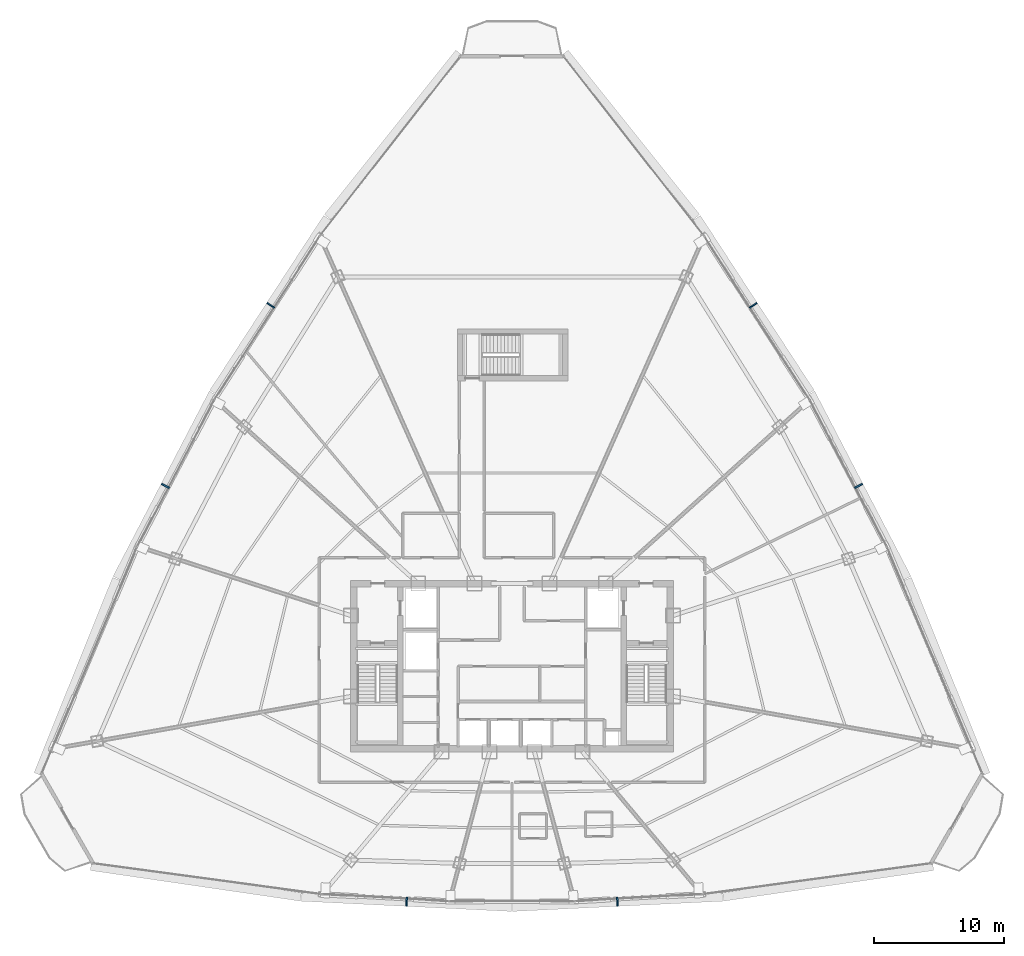
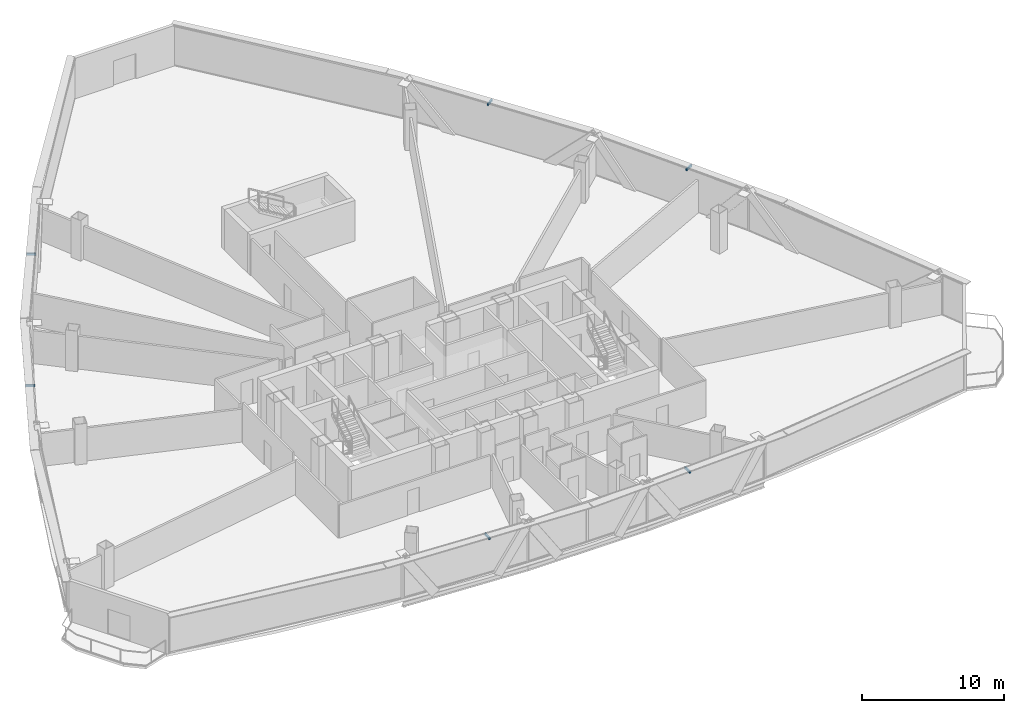
# One storey, part 31 of 35: 6 discrete accessories.
"""IFC4 building model written with IfcOpenShell, lengths in metres."""

from ifc_helpers import new_model, si_unit, direction, frame, origin, origin_2d, place, context, subcontext, project, spatial, rectangle, extrude, source, transform, mapped, material, type_object, element, save


model = new_model("IFC4")

# Units and contexts
model_context = context("Model", 3, precision=1e-05, world=origin(), true_north=direction((0.0, 1.0)))
body_context = subcontext(model_context, "Body", "Model", "MODEL_VIEW")
ifc_project = project(units=[si_unit("LENGTHUNIT", "METRE"), si_unit("AREAUNIT", "SQUARE_METRE"), si_unit("VOLUMEUNIT", "CUBIC_METRE"), si_unit("PLANEANGLEUNIT", "RADIAN"), si_unit("MASSUNIT", "GRAM", prefix="KILO"), si_unit("THERMODYNAMICTEMPERATUREUNIT", "KELVIN"), si_unit("POWERUNIT", "WATT")], contexts=[model_context])

# Site, building, storey
site_placement = place(None, origin())
site = spatial("IfcSite", under=ifc_project, at=site_placement, CompositionType="ELEMENT")
building_placement = place(site_placement, origin())
building = spatial("IfcBuilding", under=site, at=building_placement, Name="Yunzhuo Pagoda Commons", CompositionType="ELEMENT")
storey_placement = place(building_placement, frame((0.0, 0.0, 237.070068359375)))
storey = spatial("IfcBuildingStorey", under=building, at=storey_placement, Name="L59", CompositionType="ELEMENT", Elevation=237.070068359375)

# Discrete accessories
ifc_material = material(Name="Anodized aluminium 6063-T6", Category="aluminium")
discrete_accessory_type = type_object("IfcDiscreteAccessoryType", Name="BK-SUN1 Sunshade Outrigger Bracket", PredefinedType="BRACKET", material=ifc_material)
shared_shape = source(origin(), body_context, "Body", "SweptSolid", [
    extrude(rectangle(XDim=0.1201171875, YDim=0.679931640625, at=origin_2d()), origin(), (0.0, 0.0, 1.0), 0.179931640625),
])
for number, where, z_axis, x_axis, name in (
    (1, (39.888427734375, 15.71337890625, 3.259765625), (0.0, 0.0, 1.0), (0.998818043775, -0.04860571396, 0.0), "L59 sunshade outrigger bracket F1.2"),
    (2, (56.111572265625, 15.71337890625, 3.259765625), (0.0, 0.0, 1.0), (0.998818043775, 0.04860571396, 0.0), "L59 sunshade outrigger bracket F1.3"),
    (3, (74.686279296875, 47.717041015625, 3.259765625), (0.0, 0.0, 1.0), (-0.461206683033, 0.88729273384, 0.0), "L59 sunshade outrigger bracket F2.2"),
    (4, (66.57470703125, 61.61328125, 3.259765625), (0.0, 0.0, 1.0), (-0.545838756973, 0.837890238269, 0.0), "L59 sunshade outrigger bracket F2.3"),
    (5, (29.42529296875, 61.61328125, 3.259765625), (0.0, 0.0, 1.0), (-0.545838756973, -0.837890238269, 0.0), "L59 sunshade outrigger bracket F3.2"),
    (6, (21.313720703125, 47.717041015625, 3.259765625), (0.0, 0.0, 1.0), (-0.461206683033, -0.88729273384, 0.0), "L59 sunshade outrigger bracket F3.3"),
):
    element("IfcDiscreteAccessory", number, at=place(storey_placement, frame(where, z_axis=z_axis, x_axis=x_axis)), inside=storey, type_object=discrete_accessory_type, Name=name, PredefinedType="BRACKET", context=body_context, shape_type="MappedRepresentation", body=[
        mapped(shared_shape, transform((0.0, 0.0, 0.0), scale=1.0)),
    ])

save(model, "model.ifc")
